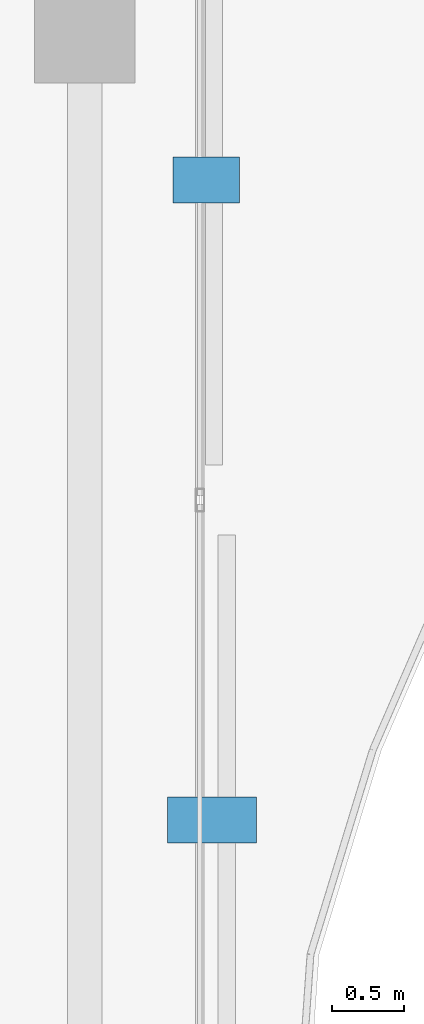
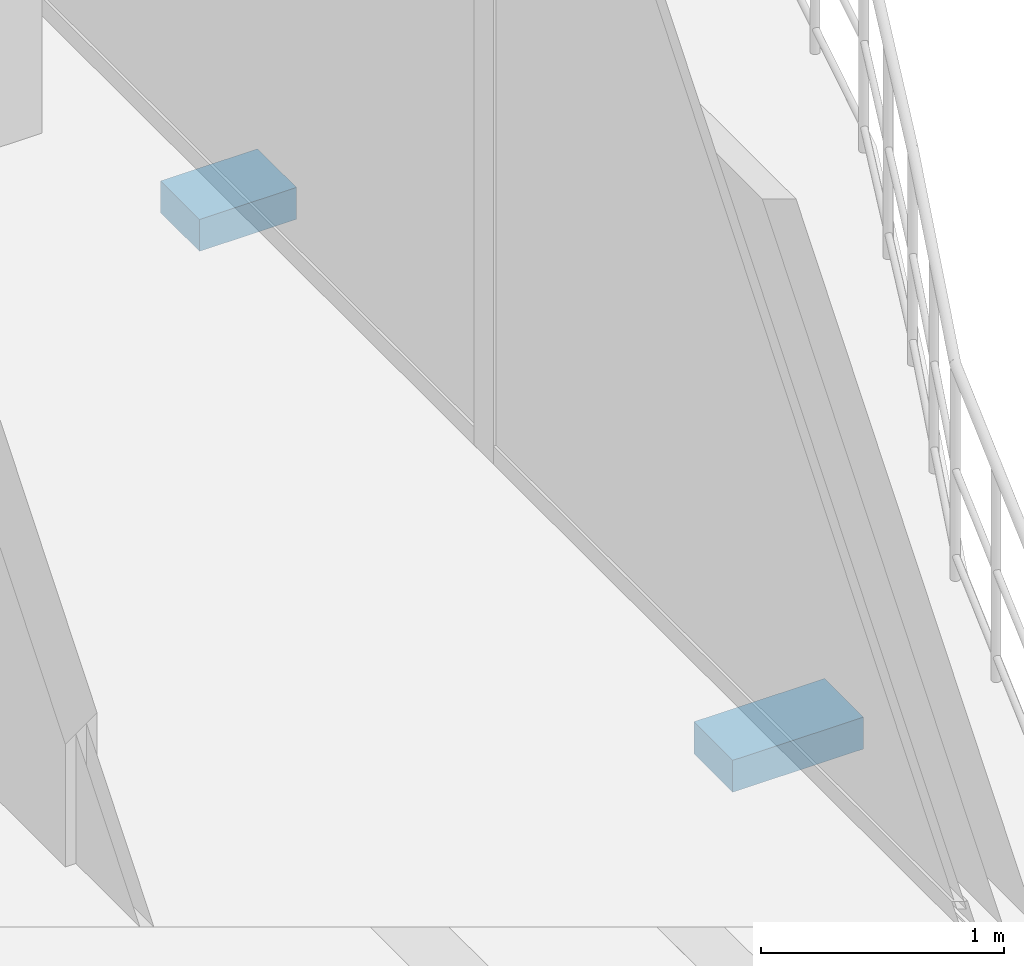
# One storey, part 14 of 16: 2 discrete accessories.
"""IFC4 building model written with IfcOpenShell, lengths in metres."""

from ifc_helpers import new_model, si_unit, direction, frame, origin, origin_2d, place, context, subcontext, project, spatial, rectangle, extrude, material, type_object, element, save


model = new_model("IFC4")

# Units and contexts
model_context = context("Model", 3, precision=1e-05, world=origin(), true_north=direction((0.0, 1.0)))
body_context = subcontext(model_context, "Body", "Model", "MODEL_VIEW")
ifc_project = project(units=[si_unit("LENGTHUNIT", "METRE"), si_unit("AREAUNIT", "SQUARE_METRE"), si_unit("VOLUMEUNIT", "CUBIC_METRE"), si_unit("PLANEANGLEUNIT", "RADIAN"), si_unit("MASSUNIT", "GRAM", prefix="KILO")], contexts=[model_context])

# Site, building, storey
site_placement = place(None, origin())
site = spatial("IfcSite", under=ifc_project, at=site_placement, CompositionType="ELEMENT")
building_placement = place(site_placement, origin())
building = spatial("IfcBuilding", under=site, at=building_placement, Name="Catumbela Crestline Tower", CompositionType="ELEMENT")
storey_placement = place(building_placement, frame((0.0, 0.0, 286.8)))
storey = spatial("IfcBuildingStorey", under=building, at=storey_placement, Name="L74", CompositionType="ELEMENT", Elevation=286.8)

# Discrete accessories
ifc_material = material(Name="Stainless steel EN 1.4401", Category="steel")
discrete_accessory_type = type_object("IfcDiscreteAccessoryType", Name="BK-SS1", PredefinedType="BRACKET", material=ifc_material)
discrete_accessory_1_placement = place(storey_placement, frame((46.085, 33.725, -0.18), z_axis=(0.0, 0.0, 1.0), x_axis=(0.0, 1.0, 0.0)))
element("IfcDiscreteAccessory", 1, at=discrete_accessory_1_placement, inside=storey, type_object=discrete_accessory_type, Name="L74 Solar Screen Stainless Bracket 920", PredefinedType="BRACKET", context=body_context, shape_type="SweptSolid", body=[
    extrude(rectangle(XDim=0.32, YDim=0.62, at=origin_2d()), origin(), (0.0, 0.0, 1.0), 0.16),
])
discrete_accessory_2_placement = place(storey_placement, frame((46.045, 38.175, -0.18), z_axis=(0.0, 0.0, 1.0), x_axis=(0.0, 1.0, 0.0)))
element("IfcDiscreteAccessory", 2, at=discrete_accessory_2_placement, inside=storey, type_object=discrete_accessory_type, Name="L74 Solar Screen Stainless Bracket 921", PredefinedType="BRACKET", context=body_context, shape_type="SweptSolid", body=[
    extrude(rectangle(XDim=0.32, YDim=0.46, at=origin_2d()), origin(), (0.0, 0.0, 1.0), 0.16),
])

save(model, "model.ifc")
